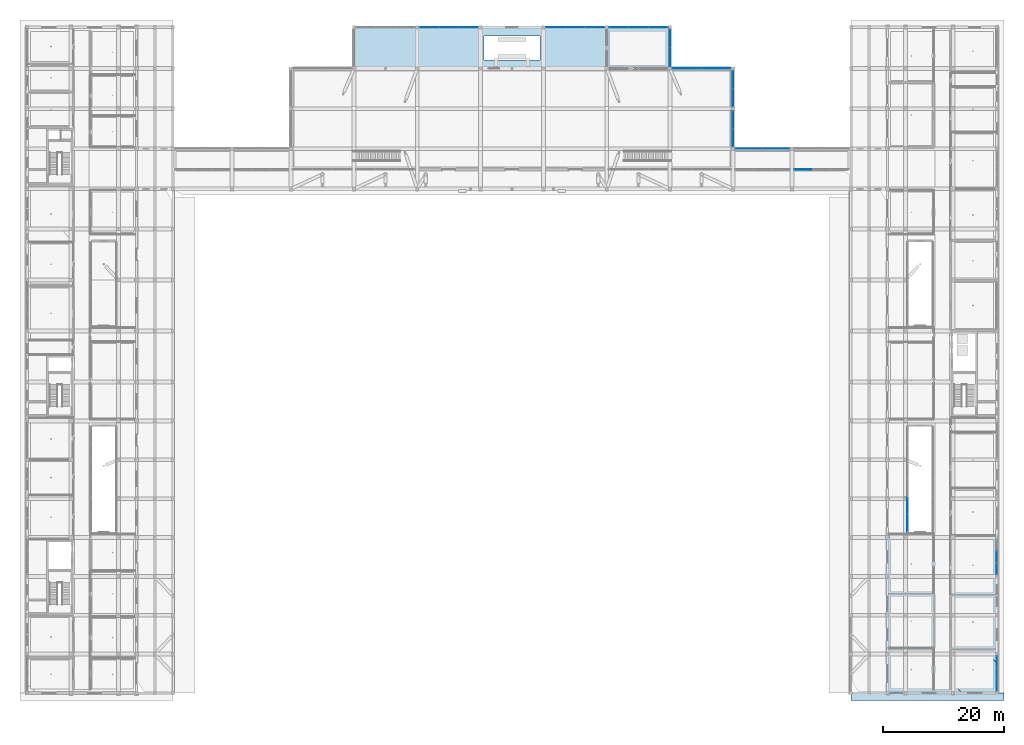
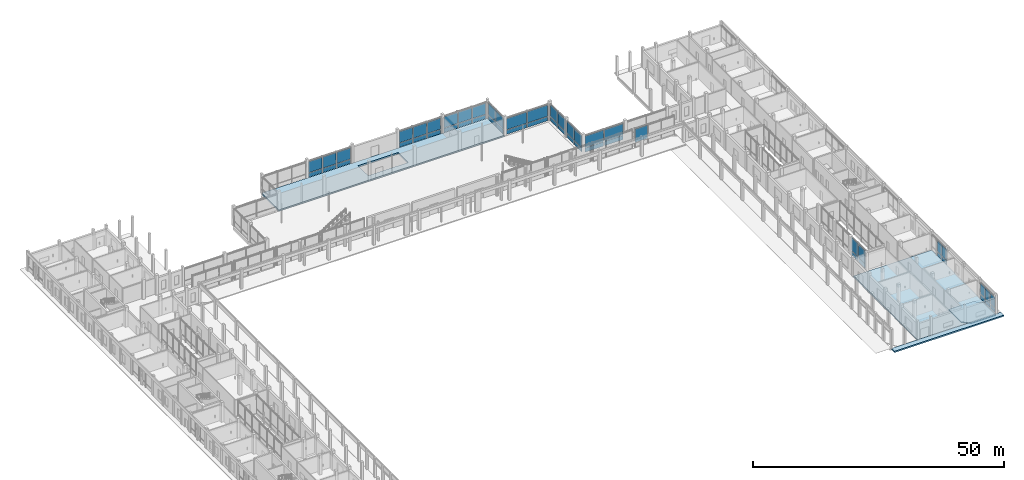
# One storey, part 43 of 88: 53 plates, 4 slabs, 12 elements without a shape of their own.
"""IFC4 building model written with IfcOpenShell, lengths in metres."""

from ifc_helpers import new_model, si_unit, derived_unit, direction, frame, origin, origin_2d, place, context, subcontext, project, spatial, polyline, rectangle, outline, extrude, material, layer, layer_set, type_object, element, aggregate, save


model = new_model("IFC4")

# Units and contexts
model_context = context("Model", 3, precision=1e-05, world=origin(), true_north=direction((0.0, 1.0)))
body_context = subcontext(model_context, "Body", "Model", "MODEL_VIEW")
ifc_project = project(units=[si_unit("LENGTHUNIT", "METRE"), si_unit("AREAUNIT", "SQUARE_METRE"), si_unit("VOLUMEUNIT", "CUBIC_METRE"), si_unit("PLANEANGLEUNIT", "RADIAN"), si_unit("MASSUNIT", "GRAM", prefix="KILO"), derived_unit("THERMALTRANSMITTANCEUNIT", [(si_unit("POWERUNIT", "WATT"), 1), (si_unit("LENGTHUNIT", "METRE"), -2), (si_unit("THERMODYNAMICTEMPERATUREUNIT", "KELVIN"), -1)])], contexts=[model_context])

# Site, building, storey
site_placement = place(None, origin())
site = spatial("IfcSite", under=ifc_project, at=site_placement, CompositionType="ELEMENT")
building_placement = place(site_placement, origin())
building = spatial("IfcBuilding", under=site, at=building_placement, Name="Braskholm Square Health Centre", CompositionType="ELEMENT")
storey_placement = place(building_placement, origin())
storey = spatial("IfcBuildingStorey", under=building, at=storey_placement, Name="L01", CompositionType="ELEMENT", Elevation=0.0)

# Slab
ifc_material_1 = material(Name="Concrete C35/45 (f'c = 35 MPa)", Category="concrete")
ifc_layer_1 = layer(ifc_material_1, 0.340087890625)
ifc_layer_set_1 = layer_set([ifc_layer_1], Name="Concrete C35/45 (f'c = 35 MPa)")
slab_type_1 = type_object("IfcSlabType", Name="AmbulanceApronBaseSlab340", PredefinedType="BASESLAB", material=ifc_layer_set_1)
slab_1_placement = place(storey_placement, frame((0.0, 0.0, -0.340087890625)))
element("IfcSlab", 1, at=slab_1_placement, inside=storey, type_object=slab_type_1, Name="Southeast square colonnade plinth", PredefinedType="BASESLAB", context=body_context, shape_type="SweptSolid", body=[
    extrude(outline(polyline([(139.800048828125, 3.0), (165.0, 3.0), (165.0, 4.199951171875), (139.800048828125, 4.199951171875), (139.800048828125, 3.0)])), origin(), (0.0, 0.0, 1.0), 0.340087890625),
])

# Curtain wall, plates
ifc_material_2 = material(Name="Low-E triple insulating glass (VLT 0.64)", Category="glass")
curtain_wall_type_1 = type_object("IfcCurtainWallType", Name="UnitisedCurtainWall6200x4100", PredefinedType="NOTDEFINED", material=ifc_material_2)
curtain_wall_1_placement = place(storey_placement, origin())
curtain_wall_1 = element("IfcCurtainWall", 2, at=curtain_wall_1_placement, inside=storey, type_object=curtain_wall_type_1, Name="East Storefront unitised curtain wall CW-L01-0046", PredefinedType="NOTDEFINED")
ifc_material_3 = material(Name="Architectural bronze anodised aluminium", Category="aluminium")
plate_type_1 = type_object("IfcPlateType", Name="CurtainPanelSpandrel1850x1020", PredefinedType="CURTAIN_PANEL", material=ifc_material_3)
plate_1_placement = place(storey_placement, frame((163.800048828125, 5.4599609375, 0.050048828125), z_axis=(0.0, 0.0, 1.0), x_axis=(0.0, 1.0, 0.0)))
plate_1 = element("IfcPlate", 3, at=plate_1_placement, type_object=plate_type_1, Name="CW-L01-0046 spandrel panel 1", PredefinedType="CURTAIN_PANEL", context=body_context, shape_type="SweptSolid", body=[
    extrude(rectangle(XDim=1.823486328125, YDim=0.035888671875, at=origin_2d()), origin(), (0.0, 0.0, 1.0), 1.02001953125),
])
plate_2_placement = place(storey_placement, frame((163.800048828125, 7.39990234375, 0.050048828125), z_axis=(0.0, 0.0, 1.0), x_axis=(0.0, 1.0, 0.0)))
plate_2 = element("IfcPlate", 4, at=plate_2_placement, type_object=plate_type_1, Name="CW-L01-0046 spandrel panel 2", PredefinedType="CURTAIN_PANEL", context=body_context, shape_type="SweptSolid", body=[
    extrude(rectangle(XDim=1.823486328125, YDim=0.035888671875, at=origin_2d()), origin(), (0.0, 0.0, 1.0), 1.02001953125),
])
plate_3_placement = place(storey_placement, frame((163.800048828125, 9.340087890625, 0.050048828125), z_axis=(0.0, 0.0, 1.0), x_axis=(0.0, 1.0, 0.0)))
plate_3 = element("IfcPlate", 5, at=plate_3_placement, type_object=plate_type_1, Name="CW-L01-0046 spandrel panel 3", PredefinedType="CURTAIN_PANEL", context=body_context, shape_type="SweptSolid", body=[
    extrude(rectangle(XDim=1.823486328125, YDim=0.035888671875, at=origin_2d()), origin(), (0.0, 0.0, 1.0), 1.02001953125),
])

curtain_wall_2_placement = place(storey_placement, origin())
curtain_wall_2 = element("IfcCurtainWall", 6, at=curtain_wall_2_placement, inside=storey, type_object=curtain_wall_type_1, Name="East Storefront unitised curtain wall CW-L01-0047", PredefinedType="NOTDEFINED")
plate_4_placement = place(storey_placement, frame((163.800048828125, 24.659912109375, 0.050048828125), z_axis=(0.0, 0.0, 1.0), x_axis=(0.0, 1.0, 0.0)))
plate_4 = element("IfcPlate", 7, at=plate_4_placement, type_object=plate_type_1, Name="CW-L01-0047 spandrel panel 1", PredefinedType="CURTAIN_PANEL", context=body_context, shape_type="SweptSolid", body=[
    extrude(rectangle(XDim=1.823486328125, YDim=0.035888671875, at=origin_2d()), origin(), (0.0, 0.0, 1.0), 1.02001953125),
])
plate_5_placement = place(storey_placement, frame((163.800048828125, 26.60009765625, 0.050048828125), z_axis=(0.0, 0.0, 1.0), x_axis=(0.0, 1.0, 0.0)))
plate_5 = element("IfcPlate", 8, at=plate_5_placement, type_object=plate_type_1, Name="CW-L01-0047 spandrel panel 2", PredefinedType="CURTAIN_PANEL", context=body_context, shape_type="SweptSolid", body=[
    extrude(rectangle(XDim=1.823486328125, YDim=0.035888671875, at=origin_2d()), origin(), (0.0, 0.0, 1.0), 1.02001953125),
])

curtain_wall_3_placement = place(storey_placement, origin())
curtain_wall_3 = element("IfcCurtainWall", 9, at=curtain_wall_3_placement, inside=storey, type_object=curtain_wall_type_1, Name="Hall Cheek L01 unitised curtain wall CW-L01-0219", PredefinedType="NOTDEFINED")
plate_type_2 = type_object("IfcPlateType", Name="CurtainPanelSpandrel2750x1020", PredefinedType="CURTAIN_PANEL", material=ifc_material_3)
plate_6_placement = place(storey_placement, frame((120.39990234375, 95.617919921875, 0.050048828125), z_axis=(0.0, 0.0, 1.0), x_axis=(0.0, 1.0, 0.0)))
plate_6 = element("IfcPlate", 10, at=plate_6_placement, type_object=plate_type_2, Name="CW-L01-0219 spandrel panel 1", PredefinedType="CURTAIN_PANEL", context=body_context, shape_type="SweptSolid", body=[
    extrude(rectangle(XDim=2.820068359375, YDim=0.035888671875, at=origin_2d()), origin(), (0.0, 0.0, 1.0), 1.02001953125),
])
plate_7_placement = place(storey_placement, frame((120.39990234375, 98.58203125, 0.050048828125), z_axis=(0.0, 0.0, 1.0), x_axis=(0.0, 1.0, 0.0)))
plate_7 = element("IfcPlate", 11, at=plate_7_placement, type_object=plate_type_2, Name="CW-L01-0219 spandrel panel 2", PredefinedType="CURTAIN_PANEL", context=body_context, shape_type="SweptSolid", body=[
    extrude(rectangle(XDim=2.820068359375, YDim=0.035888671875, at=origin_2d()), origin(), (0.0, 0.0, 1.0), 1.02001953125),
])

curtain_wall_4_placement = place(storey_placement, origin())
curtain_wall_4 = element("IfcCurtainWall", 12, at=curtain_wall_4_placement, inside=storey, type_object=curtain_wall_type_1, Name="Hall Cheek L01 unitised curtain wall CW-L01-0220", PredefinedType="NOTDEFINED")
plate_8_placement = place(storey_placement, frame((120.39990234375, 102.218017578125, 0.050048828125), z_axis=(0.0, 0.0, 1.0), x_axis=(0.0, 1.0, 0.0)))
plate_8 = element("IfcPlate", 13, at=plate_8_placement, type_object=plate_type_2, Name="CW-L01-0220 spandrel panel 1", PredefinedType="CURTAIN_PANEL", context=body_context, shape_type="SweptSolid", body=[
    extrude(rectangle(XDim=2.820068359375, YDim=0.035888671875, at=origin_2d()), origin(), (0.0, 0.0, 1.0), 1.02001953125),
])
plate_9_placement = place(storey_placement, frame((120.39990234375, 105.181884765625, 0.050048828125), z_axis=(0.0, 0.0, 1.0), x_axis=(0.0, 1.0, 0.0)))
plate_9 = element("IfcPlate", 14, at=plate_9_placement, type_object=plate_type_2, Name="CW-L01-0220 spandrel panel 2", PredefinedType="CURTAIN_PANEL", context=body_context, shape_type="SweptSolid", body=[
    extrude(rectangle(XDim=2.820068359375, YDim=0.035888671875, at=origin_2d()), origin(), (0.0, 0.0, 1.0), 1.02001953125),
])

curtain_wall_5_placement = place(storey_placement, origin())
curtain_wall_5 = element("IfcCurtainWall", 15, at=curtain_wall_5_placement, inside=storey, type_object=curtain_wall_type_1, Name="Hydrotherapy East unitised curtain wall CW-L01-0241", PredefinedType="NOTDEFINED")
plate_10_placement = place(storey_placement, frame((110.0, 108.86865234375, 0.050048828125), z_axis=(0.0, 0.0, 1.0), x_axis=(0.0, 1.0, 0.0)))
plate_10 = element("IfcPlate", 16, at=plate_10_placement, type_object=plate_type_2, Name="CW-L01-0241 spandrel panel 1", PredefinedType="CURTAIN_PANEL", context=body_context, shape_type="SweptSolid", body=[
    extrude(rectangle(XDim=2.9140625, YDim=0.035888671875, at=origin_2d()), origin(), (0.0, 0.0, 1.0), 1.02001953125),
])
plate_11_placement = place(storey_placement, frame((110.0, 111.931396484375, 0.050048828125), z_axis=(0.0, 0.0, 1.0), x_axis=(0.0, 1.0, 0.0)))
plate_11 = element("IfcPlate", 17, at=plate_11_placement, type_object=plate_type_2, Name="CW-L01-0241 spandrel panel 2", PredefinedType="CURTAIN_PANEL", context=body_context, shape_type="SweptSolid", body=[
    extrude(rectangle(XDim=2.9140625, YDim=0.035888671875, at=origin_2d()), origin(), (0.0, 0.0, 1.0), 1.02001953125),
])

curtain_wall_type_2 = type_object("IfcCurtainWallType", Name="UnitisedCurtainWall5400x4400", PredefinedType="NOTDEFINED", material=ifc_material_2)
curtain_wall_6_placement = place(storey_placement, origin())
curtain_wall_6 = element("IfcCurtainWall", 18, at=curtain_wall_6_placement, inside=storey, type_object=curtain_wall_type_2, Name="EC1 Court W unitised curtain wall CW-L01-0321", PredefinedType="NOTDEFINED")
plate_12_placement = place(storey_placement, frame((149.10009765625, 32.187744140625, 0.050048828125), z_axis=(0.0, 0.0, 1.0), x_axis=(0.0, 1.0, 0.0)))
plate_12 = element("IfcPlate", 19, at=plate_12_placement, type_object=plate_type_2, Name="CW-L01-0321 spandrel panel 1", PredefinedType="CURTAIN_PANEL", context=body_context, shape_type="SweptSolid", body=[
    extrude(rectangle(XDim=2.689208984375, YDim=0.035888671875, at=origin_2d()), origin(), (0.0, 0.0, 1.0), 1.02001953125),
])
plate_13_placement = place(storey_placement, frame((149.10009765625, 35.014404296875, 0.050048828125), z_axis=(0.0, 0.0, 1.0), x_axis=(0.0, 1.0, 0.0)))
plate_13 = element("IfcPlate", 20, at=plate_13_placement, type_object=plate_type_2, Name="CW-L01-0321 spandrel panel 2", PredefinedType="CURTAIN_PANEL", context=body_context, shape_type="SweptSolid", body=[
    extrude(rectangle(XDim=2.689208984375, YDim=0.035888671875, at=origin_2d()), origin(), (0.0, 0.0, 1.0), 1.02001953125),
])

curtain_wall_7_placement = place(storey_placement, origin())
curtain_wall_7 = element("IfcCurtainWall", 21, at=curtain_wall_7_placement, inside=storey, type_object=curtain_wall_type_1, Name="Hydrotherapy North unitised curtain wall CW-L01-0237", PredefinedType="NOTDEFINED")
plate_type_3 = type_object("IfcPlateType", Name="CurtainPanelSpandrel3150x1020", PredefinedType="CURTAIN_PANEL", material=ifc_material_3)
plate_14_placement = place(storey_placement, frame((76.86669921875, 113.800048828125, 0.050048828125), z_axis=(0.0, 0.0, 1.0), x_axis=(-1.0, 0.0, 0.0)))
plate_14 = element("IfcPlate", 22, at=plate_14_placement, type_object=plate_type_3, Name="CW-L01-0237 spandrel panel 1", PredefinedType="CURTAIN_PANEL", context=body_context, shape_type="SweptSolid", body=[
    extrude(rectangle(XDim=3.07080078125, YDim=0.035888671875, at=origin_2d()), origin(), (0.0, 0.0, 1.0), 1.02001953125),
])
plate_15_placement = place(storey_placement, frame((73.60009765625, 113.800048828125, 0.050048828125), z_axis=(0.0, 0.0, 1.0), x_axis=(-1.0, 0.0, 0.0)))
plate_15 = element("IfcPlate", 23, at=plate_15_placement, type_object=plate_type_3, Name="CW-L01-0237 spandrel panel 2", PredefinedType="CURTAIN_PANEL", context=body_context, shape_type="SweptSolid", body=[
    extrude(rectangle(XDim=3.07080078125, YDim=0.035888671875, at=origin_2d()), origin(), (0.0, 0.0, 1.0), 1.02001953125),
])
plate_16_placement = place(storey_placement, frame((70.333251953125, 113.800048828125, 0.050048828125), z_axis=(0.0, 0.0, 1.0), x_axis=(-1.0, 0.0, 0.0)))
plate_16 = element("IfcPlate", 24, at=plate_16_placement, type_object=plate_type_3, Name="CW-L01-0237 spandrel panel 3", PredefinedType="CURTAIN_PANEL", context=body_context, shape_type="SweptSolid", body=[
    extrude(rectangle(XDim=3.07080078125, YDim=0.035888671875, at=origin_2d()), origin(), (0.0, 0.0, 1.0), 1.02001953125),
])

curtain_wall_8_placement = place(storey_placement, origin())
curtain_wall_8 = element("IfcCurtainWall", 25, at=curtain_wall_8_placement, inside=storey, type_object=curtain_wall_type_1, Name="Hydrotherapy North unitised curtain wall CW-L01-0238", PredefinedType="NOTDEFINED")
plate_17_placement = place(storey_placement, frame((97.666748046875, 113.800048828125, 0.050048828125), z_axis=(0.0, 0.0, 1.0), x_axis=(-1.0, 0.0, 0.0)))
plate_17 = element("IfcPlate", 26, at=plate_17_placement, type_object=plate_type_3, Name="CW-L01-0238 spandrel panel 1", PredefinedType="CURTAIN_PANEL", context=body_context, shape_type="SweptSolid", body=[
    extrude(rectangle(XDim=3.07080078125, YDim=0.035888671875, at=origin_2d()), origin(), (0.0, 0.0, 1.0), 1.02001953125),
])
plate_18_placement = place(storey_placement, frame((94.39990234375, 113.800048828125, 0.050048828125), z_axis=(0.0, 0.0, 1.0), x_axis=(-1.0, 0.0, 0.0)))
plate_18 = element("IfcPlate", 27, at=plate_18_placement, type_object=plate_type_3, Name="CW-L01-0238 spandrel panel 2", PredefinedType="CURTAIN_PANEL", context=body_context, shape_type="SweptSolid", body=[
    extrude(rectangle(XDim=3.07080078125, YDim=0.035888671875, at=origin_2d()), origin(), (0.0, 0.0, 1.0), 1.02001953125),
])
plate_19_placement = place(storey_placement, frame((91.13330078125, 113.800048828125, 0.050048828125), z_axis=(0.0, 0.0, 1.0), x_axis=(-1.0, 0.0, 0.0)))
plate_19 = element("IfcPlate", 28, at=plate_19_placement, type_object=plate_type_3, Name="CW-L01-0238 spandrel panel 3", PredefinedType="CURTAIN_PANEL", context=body_context, shape_type="SweptSolid", body=[
    extrude(rectangle(XDim=3.07080078125, YDim=0.035888671875, at=origin_2d()), origin(), (0.0, 0.0, 1.0), 1.02001953125),
])

curtain_wall_9_placement = place(storey_placement, origin())
curtain_wall_9 = element("IfcCurtainWall", 29, at=curtain_wall_9_placement, inside=storey, type_object=curtain_wall_type_1, Name="Hydrotherapy North unitised curtain wall CW-L01-0239", PredefinedType="NOTDEFINED")
plate_20_placement = place(storey_placement, frame((108.066650390625, 113.800048828125, 0.050048828125), z_axis=(0.0, 0.0, 1.0), x_axis=(-1.0, 0.0, 0.0)))
plate_20 = element("IfcPlate", 30, at=plate_20_placement, type_object=plate_type_3, Name="CW-L01-0239 spandrel panel 1", PredefinedType="CURTAIN_PANEL", context=body_context, shape_type="SweptSolid", body=[
    extrude(rectangle(XDim=3.07080078125, YDim=0.035888671875, at=origin_2d()), origin(), (0.0, 0.0, 1.0), 1.02001953125),
])
plate_21_placement = place(storey_placement, frame((104.800048828125, 113.800048828125, 0.050048828125), z_axis=(0.0, 0.0, 1.0), x_axis=(-1.0, 0.0, 0.0)))
plate_21 = element("IfcPlate", 31, at=plate_21_placement, type_object=plate_type_3, Name="CW-L01-0239 spandrel panel 2", PredefinedType="CURTAIN_PANEL", context=body_context, shape_type="SweptSolid", body=[
    extrude(rectangle(XDim=3.07080078125, YDim=0.035888671875, at=origin_2d()), origin(), (0.0, 0.0, 1.0), 1.02001953125),
])
plate_22_placement = place(storey_placement, frame((101.533203125, 113.800048828125, 0.050048828125), z_axis=(0.0, 0.0, 1.0), x_axis=(-1.0, 0.0, 0.0)))
plate_22 = element("IfcPlate", 32, at=plate_22_placement, type_object=plate_type_3, Name="CW-L01-0239 spandrel panel 3", PredefinedType="CURTAIN_PANEL", context=body_context, shape_type="SweptSolid", body=[
    extrude(rectangle(XDim=3.07080078125, YDim=0.035888671875, at=origin_2d()), origin(), (0.0, 0.0, 1.0), 1.02001953125),
])

curtain_wall_10_placement = place(storey_placement, origin())
curtain_wall_10 = element("IfcCurtainWall", 33, at=curtain_wall_10_placement, inside=storey, type_object=curtain_wall_type_1, Name="Portal North L01 unitised curtain wall CW-L01-0204", PredefinedType="NOTDEFINED")
plate_type_4 = type_object("IfcPlateType", Name="CurtainPanelSpandrel4350x1020", PredefinedType="CURTAIN_PANEL", material=ifc_material_3)
plate_23_placement = place(storey_placement, frame((127.49658203125, 93.800048828125, 0.050048828125), z_axis=(0.0, 0.0, 1.0), x_axis=(-1.0, 0.0, 0.0)))
plate_23 = element("IfcPlate", 34, at=plate_23_placement, type_object=plate_type_4, Name="CW-L01-0204 spandrel panel 1", PredefinedType="CURTAIN_PANEL", context=body_context, shape_type="SweptSolid", body=[
    extrude(rectangle(XDim=4.275146484375, YDim=0.035888671875, at=origin_2d()), origin(), (0.0, 0.0, 1.0), 1.02001953125),
])
plate_24_placement = place(storey_placement, frame((123.00341796875, 93.800048828125, 0.050048828125), z_axis=(0.0, 0.0, 1.0), x_axis=(-1.0, 0.0, 0.0)))
plate_24 = element("IfcPlate", 35, at=plate_24_placement, type_object=plate_type_4, Name="CW-L01-0204 spandrel panel 2", PredefinedType="CURTAIN_PANEL", context=body_context, shape_type="SweptSolid", body=[
    extrude(rectangle(XDim=4.275146484375, YDim=0.035888671875, at=origin_2d()), origin(), (0.0, 0.0, 1.0), 1.02001953125),
])

curtain_wall_11_placement = place(storey_placement, origin())
curtain_wall_11 = element("IfcCurtainWall", 36, at=curtain_wall_11_placement, inside=storey, type_object=curtain_wall_type_1, Name="Hall North unitised curtain wall CW-L01-0214", PredefinedType="NOTDEFINED")
plate_25_placement = place(storey_placement, frame((117.62060546875, 107.0, 0.050048828125), z_axis=(0.0, 0.0, 1.0), x_axis=(-1.0, 0.0, 0.0)))
plate_25 = element("IfcPlate", 37, at=plate_25_placement, type_object=plate_type_4, Name="CW-L01-0214 spandrel panel 1", PredefinedType="CURTAIN_PANEL", context=body_context, shape_type="SweptSolid", body=[
    extrude(rectangle(XDim=4.60595703125, YDim=0.035888671875, at=origin_2d()), origin(), (0.0, 0.0, 1.0), 1.02001953125),
])
plate_26_placement = place(storey_placement, frame((112.779296875, 107.0, 0.050048828125), z_axis=(0.0, 0.0, 1.0), x_axis=(-1.0, 0.0, 0.0)))
plate_26 = element("IfcPlate", 38, at=plate_26_placement, type_object=plate_type_4, Name="CW-L01-0214 spandrel panel 2", PredefinedType="CURTAIN_PANEL", context=body_context, shape_type="SweptSolid", body=[
    extrude(rectangle(XDim=4.60595703125, YDim=0.035888671875, at=origin_2d()), origin(), (0.0, 0.0, 1.0), 1.02001953125),
])

# Plate
plate_type_5 = type_object("IfcPlateType", Name="CurtainPanelVision1850x2520", PredefinedType="CURTAIN_PANEL", material=ifc_material_2)
plate_27_placement = place(storey_placement, frame((163.800048828125, 5.4599609375, 1.169921875), z_axis=(0.0, 0.0, 1.0), x_axis=(0.0, 1.0, 0.0)))
plate_27 = element("IfcPlate", 39, at=plate_27_placement, type_object=plate_type_5, Name="CW-L01-0046 vision glass panel 1", PredefinedType="CURTAIN_PANEL", context=body_context, shape_type="SweptSolid", body=[
    extrude(rectangle(XDim=1.823486328125, YDim=0.035888671875, at=origin_2d()), origin(), (0.0, 0.0, 1.0), 2.669921875),
])

plate_28_placement = place(storey_placement, frame((163.800048828125, 7.39990234375, 1.169921875), z_axis=(0.0, 0.0, 1.0), x_axis=(0.0, 1.0, 0.0)))
plate_28 = element("IfcPlate", 40, at=plate_28_placement, type_object=plate_type_5, Name="CW-L01-0046 vision glass panel 2", PredefinedType="CURTAIN_PANEL", context=body_context, shape_type="SweptSolid", body=[
    extrude(rectangle(XDim=1.823486328125, YDim=0.035888671875, at=origin_2d()), origin(), (0.0, 0.0, 1.0), 2.669921875),
])

plate_29_placement = place(storey_placement, frame((163.800048828125, 9.340087890625, 1.169921875), z_axis=(0.0, 0.0, 1.0), x_axis=(0.0, 1.0, 0.0)))
plate_29 = element("IfcPlate", 41, at=plate_29_placement, type_object=plate_type_5, Name="CW-L01-0046 vision glass panel 3", PredefinedType="CURTAIN_PANEL", context=body_context, shape_type="SweptSolid", body=[
    extrude(rectangle(XDim=1.823486328125, YDim=0.035888671875, at=origin_2d()), origin(), (0.0, 0.0, 1.0), 2.669921875),
])

aggregate(curtain_wall_1, [plate_1, plate_27, plate_2, plate_28, plate_3, plate_29])

plate_30_placement = place(storey_placement, frame((163.800048828125, 24.659912109375, 1.169921875), z_axis=(0.0, 0.0, 1.0), x_axis=(0.0, 1.0, 0.0)))
plate_30 = element("IfcPlate", 42, at=plate_30_placement, type_object=plate_type_5, Name="CW-L01-0047 vision glass panel 1", PredefinedType="CURTAIN_PANEL", context=body_context, shape_type="SweptSolid", body=[
    extrude(rectangle(XDim=1.823486328125, YDim=0.035888671875, at=origin_2d()), origin(), (0.0, 0.0, 1.0), 2.669921875),
])

plate_31_placement = place(storey_placement, frame((163.800048828125, 26.60009765625, 1.169921875), z_axis=(0.0, 0.0, 1.0), x_axis=(0.0, 1.0, 0.0)))
plate_31 = element("IfcPlate", 43, at=plate_31_placement, type_object=plate_type_5, Name="CW-L01-0047 vision glass panel 2", PredefinedType="CURTAIN_PANEL", context=body_context, shape_type="SweptSolid", body=[
    extrude(rectangle(XDim=1.823486328125, YDim=0.035888671875, at=origin_2d()), origin(), (0.0, 0.0, 1.0), 2.669921875),
])

aggregate(curtain_wall_2, [plate_4, plate_30, plate_5, plate_31])

# Curtain wall, plate
curtain_wall_type_3 = type_object("IfcCurtainWallType", Name="UnitisedCurtainWall6200x4400", PredefinedType="NOTDEFINED", material=ifc_material_2)
curtain_wall_12_placement = place(storey_placement, origin())
curtain_wall_12 = element("IfcCurtainWall", 44, at=curtain_wall_12_placement, inside=storey, type_object=curtain_wall_type_3, Name="Hall Arcade unitised curtain wall CW-L01-0207", PredefinedType="NOTDEFINED")
plate_type_6 = type_object("IfcPlateType", Name="CurtainPanelVision2750x2950", PredefinedType="CURTAIN_PANEL", material=ifc_material_2)
plate_32_placement = place(storey_placement, frame((131.916748046875, 90.39990234375, 1.169921875), z_axis=(0.0, 0.0, 1.0), x_axis=(1.0, 0.0, 0.0)))
plate_32 = element("IfcPlate", 45, at=plate_32_placement, type_object=plate_type_6, Name="CW-L01-0207 vision glass panel 1", PredefinedType="CURTAIN_PANEL", context=body_context, shape_type="SweptSolid", body=[
    extrude(rectangle(XDim=2.851318359375, YDim=0.035888671875, at=origin_2d()), origin(), (0.0, 0.0, 1.0), 3.219970703125),
])
aggregate(curtain_wall_12, [plate_32])

# Plate
plate_33_placement = place(storey_placement, frame((120.39990234375, 95.617919921875, 1.169921875), z_axis=(0.0, 0.0, 1.0), x_axis=(0.0, 1.0, 0.0)))
plate_33 = element("IfcPlate", 46, at=plate_33_placement, type_object=plate_type_6, Name="CW-L01-0219 vision glass panel 1", PredefinedType="CURTAIN_PANEL", context=body_context, shape_type="SweptSolid", body=[
    extrude(rectangle(XDim=2.820068359375, YDim=0.035888671875, at=origin_2d()), origin(), (0.0, 0.0, 1.0), 2.840087890625),
])

plate_34_placement = place(storey_placement, frame((120.39990234375, 98.58203125, 1.169921875), z_axis=(0.0, 0.0, 1.0), x_axis=(0.0, 1.0, 0.0)))
plate_34 = element("IfcPlate", 47, at=plate_34_placement, type_object=plate_type_6, Name="CW-L01-0219 vision glass panel 2", PredefinedType="CURTAIN_PANEL", context=body_context, shape_type="SweptSolid", body=[
    extrude(rectangle(XDim=2.820068359375, YDim=0.035888671875, at=origin_2d()), origin(), (0.0, 0.0, 1.0), 2.840087890625),
])

aggregate(curtain_wall_3, [plate_6, plate_33, plate_7, plate_34])

plate_35_placement = place(storey_placement, frame((120.39990234375, 102.218017578125, 1.169921875), z_axis=(0.0, 0.0, 1.0), x_axis=(0.0, 1.0, 0.0)))
plate_35 = element("IfcPlate", 48, at=plate_35_placement, type_object=plate_type_6, Name="CW-L01-0220 vision glass panel 1", PredefinedType="CURTAIN_PANEL", context=body_context, shape_type="SweptSolid", body=[
    extrude(rectangle(XDim=2.820068359375, YDim=0.035888671875, at=origin_2d()), origin(), (0.0, 0.0, 1.0), 2.840087890625),
])

plate_36_placement = place(storey_placement, frame((120.39990234375, 105.181884765625, 1.169921875), z_axis=(0.0, 0.0, 1.0), x_axis=(0.0, 1.0, 0.0)))
plate_36 = element("IfcPlate", 49, at=plate_36_placement, type_object=plate_type_6, Name="CW-L01-0220 vision glass panel 2", PredefinedType="CURTAIN_PANEL", context=body_context, shape_type="SweptSolid", body=[
    extrude(rectangle(XDim=2.820068359375, YDim=0.035888671875, at=origin_2d()), origin(), (0.0, 0.0, 1.0), 2.840087890625),
])

aggregate(curtain_wall_4, [plate_8, plate_35, plate_9, plate_36])

plate_37_placement = place(storey_placement, frame((110.0, 108.86865234375, 1.169921875), z_axis=(0.0, 0.0, 1.0), x_axis=(0.0, 1.0, 0.0)))
plate_37 = element("IfcPlate", 50, at=plate_37_placement, type_object=plate_type_6, Name="CW-L01-0241 vision glass panel 1", PredefinedType="CURTAIN_PANEL", context=body_context, shape_type="SweptSolid", body=[
    extrude(rectangle(XDim=2.9140625, YDim=0.035888671875, at=origin_2d()), origin(), (0.0, 0.0, 1.0), 2.840087890625),
])

plate_38_placement = place(storey_placement, frame((110.0, 111.931396484375, 1.169921875), z_axis=(0.0, 0.0, 1.0), x_axis=(0.0, 1.0, 0.0)))
plate_38 = element("IfcPlate", 51, at=plate_38_placement, type_object=plate_type_6, Name="CW-L01-0241 vision glass panel 2", PredefinedType="CURTAIN_PANEL", context=body_context, shape_type="SweptSolid", body=[
    extrude(rectangle(XDim=2.9140625, YDim=0.035888671875, at=origin_2d()), origin(), (0.0, 0.0, 1.0), 2.840087890625),
])

aggregate(curtain_wall_5, [plate_10, plate_37, plate_11, plate_38])

plate_39_placement = place(storey_placement, frame((149.10009765625, 32.187744140625, 1.169921875), z_axis=(0.0, 0.0, 1.0), x_axis=(0.0, 1.0, 0.0)))
plate_39 = element("IfcPlate", 52, at=plate_39_placement, type_object=plate_type_6, Name="CW-L01-0321 vision glass panel 1", PredefinedType="CURTAIN_PANEL", context=body_context, shape_type="SweptSolid", body=[
    extrude(rectangle(XDim=2.689208984375, YDim=0.035888671875, at=origin_2d()), origin(), (0.0, 0.0, 1.0), 3.219970703125),
])

plate_40_placement = place(storey_placement, frame((149.10009765625, 35.014404296875, 1.169921875), z_axis=(0.0, 0.0, 1.0), x_axis=(0.0, 1.0, 0.0)))
plate_40 = element("IfcPlate", 53, at=plate_40_placement, type_object=plate_type_6, Name="CW-L01-0321 vision glass panel 2", PredefinedType="CURTAIN_PANEL", context=body_context, shape_type="SweptSolid", body=[
    extrude(rectangle(XDim=2.689208984375, YDim=0.035888671875, at=origin_2d()), origin(), (0.0, 0.0, 1.0), 3.219970703125),
])

aggregate(curtain_wall_6, [plate_12, plate_39, plate_13, plate_40])

plate_type_7 = type_object("IfcPlateType", Name="CurtainPanelVision3150x2520", PredefinedType="CURTAIN_PANEL", material=ifc_material_2)
plate_41_placement = place(storey_placement, frame((76.86669921875, 113.800048828125, 1.169921875), z_axis=(0.0, 0.0, 1.0), x_axis=(-1.0, 0.0, 0.0)))
plate_41 = element("IfcPlate", 54, at=plate_41_placement, type_object=plate_type_7, Name="CW-L01-0237 vision glass panel 1", PredefinedType="CURTAIN_PANEL", context=body_context, shape_type="SweptSolid", body=[
    extrude(rectangle(XDim=3.07080078125, YDim=0.035888671875, at=origin_2d()), origin(), (0.0, 0.0, 1.0), 2.719970703125),
])

plate_42_placement = place(storey_placement, frame((73.60009765625, 113.800048828125, 1.169921875), z_axis=(0.0, 0.0, 1.0), x_axis=(-1.0, 0.0, 0.0)))
plate_42 = element("IfcPlate", 55, at=plate_42_placement, type_object=plate_type_7, Name="CW-L01-0237 vision glass panel 2", PredefinedType="CURTAIN_PANEL", context=body_context, shape_type="SweptSolid", body=[
    extrude(rectangle(XDim=3.07080078125, YDim=0.035888671875, at=origin_2d()), origin(), (0.0, 0.0, 1.0), 2.719970703125),
])

plate_43_placement = place(storey_placement, frame((70.333251953125, 113.800048828125, 1.169921875), z_axis=(0.0, 0.0, 1.0), x_axis=(-1.0, 0.0, 0.0)))
plate_43 = element("IfcPlate", 56, at=plate_43_placement, type_object=plate_type_7, Name="CW-L01-0237 vision glass panel 3", PredefinedType="CURTAIN_PANEL", context=body_context, shape_type="SweptSolid", body=[
    extrude(rectangle(XDim=3.07080078125, YDim=0.035888671875, at=origin_2d()), origin(), (0.0, 0.0, 1.0), 2.719970703125),
])

aggregate(curtain_wall_7, [plate_14, plate_41, plate_15, plate_42, plate_16, plate_43])

plate_44_placement = place(storey_placement, frame((97.666748046875, 113.800048828125, 1.169921875), z_axis=(0.0, 0.0, 1.0), x_axis=(-1.0, 0.0, 0.0)))
plate_44 = element("IfcPlate", 57, at=plate_44_placement, type_object=plate_type_7, Name="CW-L01-0238 vision glass panel 1", PredefinedType="CURTAIN_PANEL", context=body_context, shape_type="SweptSolid", body=[
    extrude(rectangle(XDim=3.07080078125, YDim=0.035888671875, at=origin_2d()), origin(), (0.0, 0.0, 1.0), 2.719970703125),
])

plate_45_placement = place(storey_placement, frame((94.39990234375, 113.800048828125, 1.169921875), z_axis=(0.0, 0.0, 1.0), x_axis=(-1.0, 0.0, 0.0)))
plate_45 = element("IfcPlate", 58, at=plate_45_placement, type_object=plate_type_7, Name="CW-L01-0238 vision glass panel 2", PredefinedType="CURTAIN_PANEL", context=body_context, shape_type="SweptSolid", body=[
    extrude(rectangle(XDim=3.07080078125, YDim=0.035888671875, at=origin_2d()), origin(), (0.0, 0.0, 1.0), 2.719970703125),
])

plate_46_placement = place(storey_placement, frame((91.13330078125, 113.800048828125, 1.169921875), z_axis=(0.0, 0.0, 1.0), x_axis=(-1.0, 0.0, 0.0)))
plate_46 = element("IfcPlate", 59, at=plate_46_placement, type_object=plate_type_7, Name="CW-L01-0238 vision glass panel 3", PredefinedType="CURTAIN_PANEL", context=body_context, shape_type="SweptSolid", body=[
    extrude(rectangle(XDim=3.07080078125, YDim=0.035888671875, at=origin_2d()), origin(), (0.0, 0.0, 1.0), 2.719970703125),
])

aggregate(curtain_wall_8, [plate_17, plate_44, plate_18, plate_45, plate_19, plate_46])

plate_47_placement = place(storey_placement, frame((108.066650390625, 113.800048828125, 1.169921875), z_axis=(0.0, 0.0, 1.0), x_axis=(-1.0, 0.0, 0.0)))
plate_47 = element("IfcPlate", 60, at=plate_47_placement, type_object=plate_type_7, Name="CW-L01-0239 vision glass panel 1", PredefinedType="CURTAIN_PANEL", context=body_context, shape_type="SweptSolid", body=[
    extrude(rectangle(XDim=3.07080078125, YDim=0.035888671875, at=origin_2d()), origin(), (0.0, 0.0, 1.0), 2.719970703125),
])

plate_48_placement = place(storey_placement, frame((104.800048828125, 113.800048828125, 1.169921875), z_axis=(0.0, 0.0, 1.0), x_axis=(-1.0, 0.0, 0.0)))
plate_48 = element("IfcPlate", 61, at=plate_48_placement, type_object=plate_type_7, Name="CW-L01-0239 vision glass panel 2", PredefinedType="CURTAIN_PANEL", context=body_context, shape_type="SweptSolid", body=[
    extrude(rectangle(XDim=3.07080078125, YDim=0.035888671875, at=origin_2d()), origin(), (0.0, 0.0, 1.0), 2.719970703125),
])

plate_49_placement = place(storey_placement, frame((101.533203125, 113.800048828125, 1.169921875), z_axis=(0.0, 0.0, 1.0), x_axis=(-1.0, 0.0, 0.0)))
plate_49 = element("IfcPlate", 62, at=plate_49_placement, type_object=plate_type_7, Name="CW-L01-0239 vision glass panel 3", PredefinedType="CURTAIN_PANEL", context=body_context, shape_type="SweptSolid", body=[
    extrude(rectangle(XDim=3.07080078125, YDim=0.035888671875, at=origin_2d()), origin(), (0.0, 0.0, 1.0), 2.719970703125),
])

aggregate(curtain_wall_9, [plate_20, plate_47, plate_21, plate_48, plate_22, plate_49])

plate_type_8 = type_object("IfcPlateType", Name="CurtainPanelVision4350x2950", PredefinedType="CURTAIN_PANEL", material=ifc_material_2)
plate_50_placement = place(storey_placement, frame((127.49658203125, 93.800048828125, 1.169921875), z_axis=(0.0, 0.0, 1.0), x_axis=(-1.0, 0.0, 0.0)))
plate_50 = element("IfcPlate", 63, at=plate_50_placement, type_object=plate_type_8, Name="CW-L01-0204 vision glass panel 1", PredefinedType="CURTAIN_PANEL", context=body_context, shape_type="SweptSolid", body=[
    extrude(rectangle(XDim=4.275146484375, YDim=0.035888671875, at=origin_2d()), origin(), (0.0, 0.0, 1.0), 2.820068359375),
])

plate_51_placement = place(storey_placement, frame((123.00341796875, 93.800048828125, 1.169921875), z_axis=(0.0, 0.0, 1.0), x_axis=(-1.0, 0.0, 0.0)))
plate_51 = element("IfcPlate", 64, at=plate_51_placement, type_object=plate_type_8, Name="CW-L01-0204 vision glass panel 2", PredefinedType="CURTAIN_PANEL", context=body_context, shape_type="SweptSolid", body=[
    extrude(rectangle(XDim=4.275146484375, YDim=0.035888671875, at=origin_2d()), origin(), (0.0, 0.0, 1.0), 2.820068359375),
])

aggregate(curtain_wall_10, [plate_23, plate_50, plate_24, plate_51])

plate_52_placement = place(storey_placement, frame((117.62060546875, 107.0, 1.169921875), z_axis=(0.0, 0.0, 1.0), x_axis=(-1.0, 0.0, 0.0)))
plate_52 = element("IfcPlate", 65, at=plate_52_placement, type_object=plate_type_8, Name="CW-L01-0214 vision glass panel 1", PredefinedType="CURTAIN_PANEL", context=body_context, shape_type="SweptSolid", body=[
    extrude(rectangle(XDim=4.60595703125, YDim=0.035888671875, at=origin_2d()), origin(), (0.0, 0.0, 1.0), 2.757080078125),
])

plate_53_placement = place(storey_placement, frame((112.779296875, 107.0, 1.169921875), z_axis=(0.0, 0.0, 1.0), x_axis=(-1.0, 0.0, 0.0)))
plate_53 = element("IfcPlate", 66, at=plate_53_placement, type_object=plate_type_8, Name="CW-L01-0214 vision glass panel 2", PredefinedType="CURTAIN_PANEL", context=body_context, shape_type="SweptSolid", body=[
    extrude(rectangle(XDim=4.60595703125, YDim=0.035888671875, at=origin_2d()), origin(), (0.0, 0.0, 1.0), 2.757080078125),
])

aggregate(curtain_wall_11, [plate_25, plate_52, plate_26, plate_53])

# Slabs
ifc_layer_2 = layer(ifc_material_1, 0.3798828125)
ifc_layer_set_2 = layer_set([ifc_layer_2], Name="Concrete C35/45 (f'c = 35 MPa)")
slab_type_2 = type_object("IfcSlabType", Name="ImagingVibrationFlatSlab380", PredefinedType="FLOOR", material=ifc_layer_set_2)
slab_2_placement = place(storey_placement, frame((0.0, 0.0, -0.3798828125)))
element("IfcSlab", 67, at=slab_2_placement, inside=storey, type_object=slab_type_2, Name="Level L01 V3 Hydrotherapy rehabilitation hall slab", PredefinedType="FLOOR", context=body_context, shape_type="SweptSolid", body=[
    extrude(outline(polyline([(58.0, 107.0), (110.0, 107.0), (110.0, 113.800048828125), (58.0, 113.800048828125), (58.0, 107.0)]), holes=[polyline([(79.39990234375, 108.39990234375), (88.60009765625, 108.39990234375), (88.60009765625, 112.39990234375), (79.39990234375, 112.39990234375), (79.39990234375, 108.39990234375)])]), origin(), (0.0, 0.0, 1.0), 0.3798828125),
])
ifc_layer_3 = layer(ifc_material_1, 0.199951171875)
ifc_layer_set_3 = layer_set([ifc_layer_3], Name="Concrete C35/45 (f'c = 35 MPa)")
slab_type_3 = type_object("IfcSlabType", Name="PunchingDropPanel200", PredefinedType="USERDEFINED", material=ifc_layer_set_3)
slab_3_placement = place(storey_placement, frame((0.0, 0.0, -0.5)))
element("IfcSlab", 68, at=slab_3_placement, inside=storey, type_object=slab_type_3, Name="Thickened vibration drop panel 003 L01", ObjectType="DROPPANEL", PredefinedType="USERDEFINED", context=body_context, shape_type="SweptSolid", body=[
    extrude(outline(polyline([(158.18408203125, 4.199951171875), (163.800048828125, 4.199951171875), (163.800048828125, 9.19189453125), (162.216064453125, 10.60009765625), (156.60009765625, 10.60009765625), (156.60009765625, 5.60791015625), (158.18408203125, 4.199951171875)])), origin(), (0.0, 0.0, 1.0), 0.199951171875),
])
ifc_layer_4 = layer(ifc_material_1, 0.300048828125)
ifc_layer_set_4 = layer_set([ifc_layer_4], Name="Concrete C35/45 (f'c = 35 MPa)")
slab_type_4 = type_object("IfcSlabType", Name="TwoWayClinicalFlatSlab300", PredefinedType="FLOOR", material=ifc_layer_set_4)
slab_4_placement = place(storey_placement, frame((0.0, 0.0, -0.300048828125)))
element("IfcSlab", 69, at=slab_4_placement, inside=storey, type_object=slab_type_4, Name="Level L01 V6 Retail pharmacy and public cafe slab", PredefinedType="FLOOR", context=body_context, shape_type="SweptSolid", body=[
    extrude(outline(polyline([(145.800048828125, 4.199951171875), (163.800048828125, 4.199951171875), (163.800048828125, 29.800048828125), (145.800048828125, 29.800048828125), (145.800048828125, 4.199951171875)])), origin(), (0.0, 0.0, 1.0), 0.300048828125),
])

save(model, "model.ifc")
